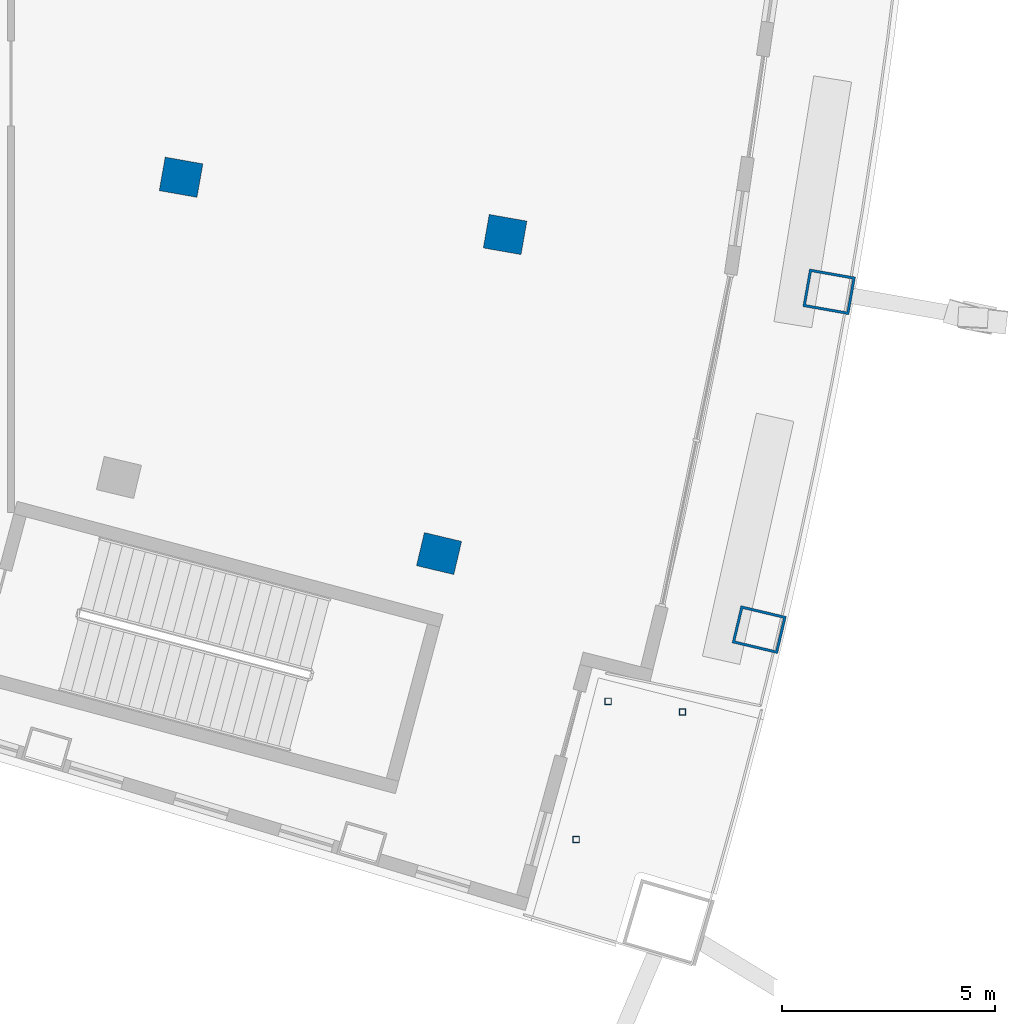
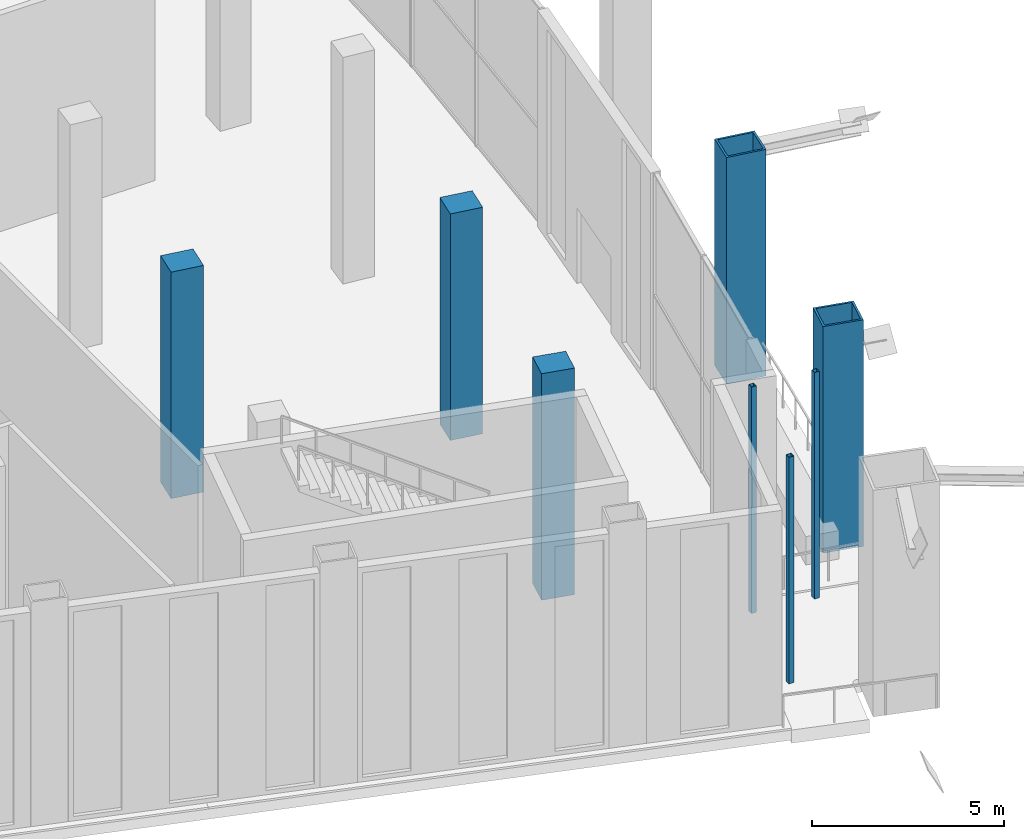
# One storey, part 5 of 26: 8 columns.
"""IFC4 building model written with IfcOpenShell, lengths in metres."""

from ifc_helpers import new_model, si_unit, direction, frame, origin, origin_2d, place, context, subcontext, project, spatial, rectangle, hollow_rectangle, extrude, material, material_profile, profile_set, type_object, element, save


model = new_model("IFC4")

# Units and contexts
model_context = context("Model", 3, precision=1e-05, world=origin(), true_north=direction((0.0, 1.0)))
body_context = subcontext(model_context, "Body", "Model", "MODEL_VIEW")
ifc_project = project(units=[si_unit("LENGTHUNIT", "METRE"), si_unit("AREAUNIT", "SQUARE_METRE"), si_unit("VOLUMEUNIT", "CUBIC_METRE"), si_unit("PLANEANGLEUNIT", "RADIAN"), si_unit("MASSUNIT", "GRAM", prefix="KILO")], contexts=[model_context])

# Site, building, storey
site_placement = place(None, origin())
site = spatial("IfcSite", under=ifc_project, at=site_placement, CompositionType="ELEMENT")
building_placement = place(site_placement, origin())
building = spatial("IfcBuilding", under=site, at=building_placement, Name="Alderwake Tower", CompositionType="ELEMENT")
storey_placement = place(building_placement, frame((0.0, 0.0, 182.0)))
storey = spatial("IfcBuildingStorey", under=building, at=storey_placement, Name="L45", CompositionType="ELEMENT", Elevation=182.0)

# Columns
ifc_material_1 = material(Name="Concrete C70/85", Category="concrete")
ifc_material_profile_1 = material_profile(ifc_material_1, rectangle(XDim=0.800048828125, YDim=0.89990234375, at=origin_2d()), Name="RC 900X800")
ifc_profile_set_1 = profile_set([ifc_material_profile_1], Name="Concrete C70/85")
column_type_1 = type_object("IfcColumnType", Name="Interior column Z3", PredefinedType="COLUMN", material=ifc_profile_set_1)
for number, where, z_axis, x_axis, name in (
    (1, (47.70947265625, 30.648193359375, 0.0), (0.0, 0.0, 1.0), (0.231221547198, 0.972901123502, 0.0), "Column R03-C4"),
    (2, (41.646484375, 39.49169921875, 0.0), (0.0, 0.0, 1.0), (0.174108800747, 0.984726421654, 0.0), "Column R04-C3"),
    (3, (49.26171875, 38.1455078125, 0.0), (0.0, 0.0, 1.0), (0.174108800747, 0.984726421654, 0.0), "Column R04-C4"),
):
    element("IfcColumn", number, at=place(storey_placement, frame(where, z_axis=z_axis, x_axis=x_axis)), inside=storey, type_object=column_type_1, Name=name, PredefinedType="COLUMN", context=body_context, shape_type="SweptSolid", body=[
        extrude(rectangle(XDim=0.800048828125, YDim=0.89990234375, at=origin_2d()), origin(), (0.0, 0.0, 1.0), 7.199951171875),
    ])
ifc_material_2 = material(Name="Steel ASTM A500 Grade C", Category="steel")
ifc_material_profile_2 = material_profile(ifc_material_2, hollow_rectangle(XDim=0.15234375, YDim=0.15234375, WallThickness=0.0087890625, at=origin_2d()), Name="HSS6X6X3/8")
ifc_profile_set_2 = profile_set([ifc_material_profile_2], Name="Steel ASTM A500 Grade C")
column_type_2 = type_object("IfcColumnType", Name="Light post HSS6X6X3/8", PredefinedType="COLUMN", material=ifc_profile_set_2)
for number, where, z_axis, x_axis, name in (
    (4, (53.4326171875, 26.925537109375, 0.0), (0.0, 0.0, 1.0), (1.0, 0.0, 0.0), "Terrace post FS1"),
    (5, (50.9326171875, 23.925537109375, 0.0), (0.0, 0.0, 1.0), (1.0, 0.0, 0.0), "Terrace post FS2"),
    (6, (51.6826171875, 27.175537109375, 0.0), (0.0, 0.0, 1.0), (1.0, 0.0, 0.0), "Terrace post FS3"),
):
    element("IfcColumn", number, at=place(storey_placement, frame(where, z_axis=z_axis, x_axis=x_axis)), inside=storey, type_object=column_type_2, Name=name, PredefinedType="COLUMN", context=body_context, shape_type="SweptSolid", body=[
        extrude(hollow_rectangle(XDim=0.15234375, YDim=0.15234375, WallThickness=0.0087890625, at=origin_2d()), origin(), (0.0, 0.0, 1.0), 7.199951171875),
    ])
ifc_material_3 = material(Name="Steel ASTM A572 Grade 50 concrete filled C70/85", Category="concrete")
ifc_material_profile_3 = material_profile(ifc_material_3, hollow_rectangle(XDim=0.89990234375, YDim=1.10009765625, WallThickness=0.06005859375, at=origin_2d()), Name="BOX 1100X900X60")
ifc_profile_set_3 = profile_set([ifc_material_profile_3], Name="Steel ASTM A572 Grade 50 concrete filled C70/85")
column_type_3 = type_object("IfcColumnType", Name="Perimeter column Z3", PredefinedType="COLUMN", material=ifc_profile_set_3)
for number, where, z_axis, x_axis, name in (
    (7, (55.233154296875, 28.860107421875, 0.0), (0.0, 0.0, 1.0), (0.231221547198, 0.972901123502, 0.0), "Column R03-C5"),
    (8, (56.876953125, 36.799072265625, 0.0), (0.0, 0.0, 1.0), (0.174107082075, 0.984726725529, 0.0), "Column R04-C5"),
):
    element("IfcColumn", number, at=place(storey_placement, frame(where, z_axis=z_axis, x_axis=x_axis)), inside=storey, type_object=column_type_3, Name=name, PredefinedType="COLUMN", context=body_context, shape_type="SweptSolid", body=[
        extrude(hollow_rectangle(XDim=0.89990234375, YDim=1.10009765625, WallThickness=0.06005859375, at=origin_2d()), origin(), (0.0, 0.0, 1.0), 7.199951171875),
    ])

save(model, "model.ifc")
